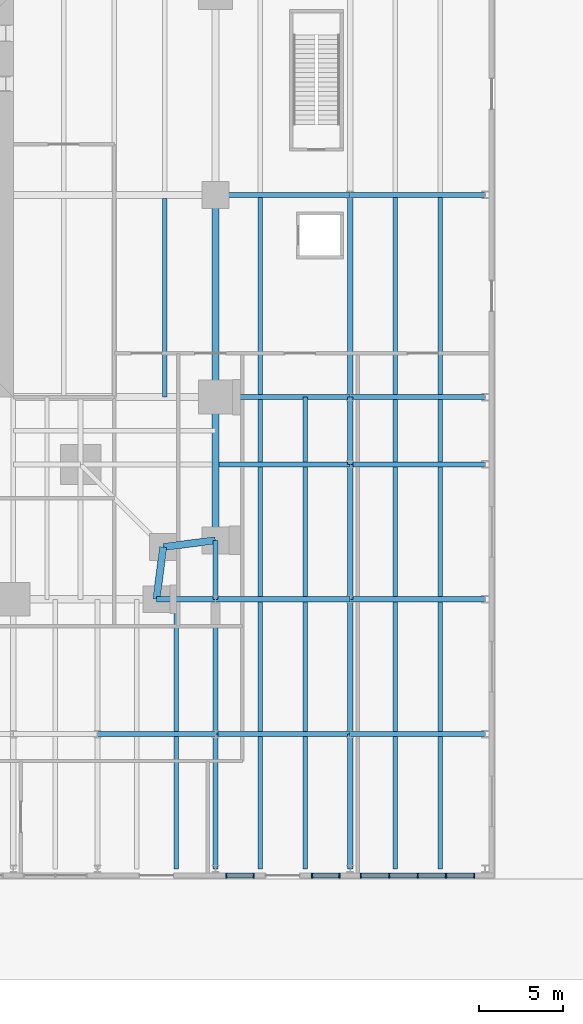
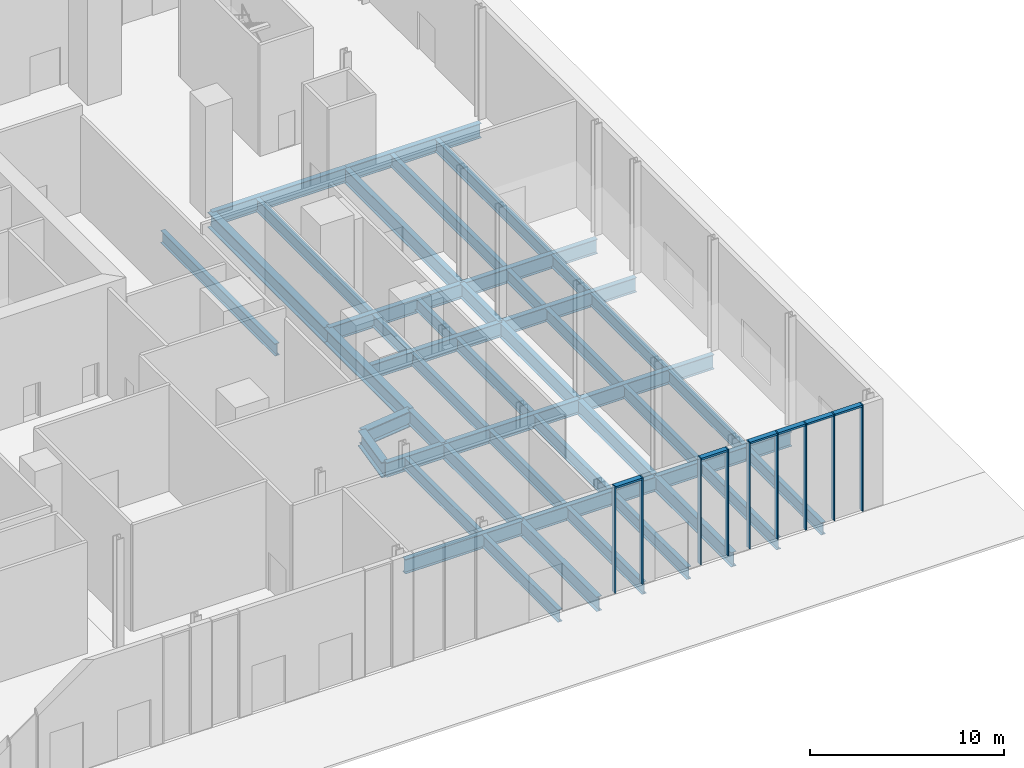
# One storey, part 8 of 20: 46 beams, 15 members, 3 elements without a shape of their own.
"""IFC4 building model written with IfcOpenShell, lengths in metres."""

from ifc_helpers import new_model, si_unit, direction, frame, origin, origin_2d, place, context, subcontext, project, spatial, rectangle, i_section, extrude, material, material_profile, profile_set, type_object, element, aggregate, save


model = new_model("IFC4")

# Units and contexts
model_context = context("Model", 3, precision=1e-05, world=origin(), true_north=direction((0.0, 1.0)))
body_context = subcontext(model_context, "Body", "Model", "MODEL_VIEW")
ifc_project = project(units=[si_unit("LENGTHUNIT", "METRE"), si_unit("AREAUNIT", "SQUARE_METRE"), si_unit("VOLUMEUNIT", "CUBIC_METRE"), si_unit("PLANEANGLEUNIT", "RADIAN"), si_unit("MASSUNIT", "GRAM", prefix="KILO")], contexts=[model_context])

# Site, building, storey
site_placement = place(None, origin())
site = spatial("IfcSite", under=ifc_project, at=site_placement, CompositionType="ELEMENT")
building_placement = place(site_placement, origin())
building = spatial("IfcBuilding", under=site, at=building_placement, Name="Fenwick Lantern Interchange", CompositionType="ELEMENT")
storey_placement = place(building_placement, origin())
storey = spatial("IfcBuildingStorey", under=building, at=storey_placement, Name="L00", CompositionType="ELEMENT", Elevation=0.0)

# Beams
ifc_material_1 = material(Name="Steel ASTM A992 Grade 50", Category="steel")
ifc_material_profile_1 = material_profile(ifc_material_1, i_section(OverallWidth=0.4267578125, OverallDepth=0.975341796875, WebThickness=0.031005859375, FlangeThickness=0.055908203125, at=origin_2d()), Name="W36X395")
ifc_profile_set_1 = profile_set([ifc_material_profile_1], Name="Steel ASTM A992 Grade 50")
beam_type_1 = type_object("IfcBeamType", Name="EDGE BEAM W36X395", PredefinedType="SPANDREL", material=ifc_profile_set_1)
for number, where, z_axis, x_axis, name in (
    (1, (45.5, 1.0, -0.78759765625), (0.127936641807, 0.991782342897, 0.0), (-0.991782342897, 0.127936641807, 0.0), "L00/FR/S/EBR1"),
    (2, (45.89990234375, 4.10009765625, -0.78759765625), (0.991782342897, 0.127936641807, 0.0), (-0.127936641807, 0.991782342897, 0.0), "L00/FR/S/EBR2"),
):
    element("IfcBeam", number, at=place(storey_placement, frame(where, z_axis=z_axis, x_axis=x_axis)), inside=storey, type_object=beam_type_1, Name=name, PredefinedType="SPANDREL", context=body_context, shape_type="SweptSolid", body=[
        extrude(i_section(OverallWidth=0.4267578125, OverallDepth=0.975341796875, WebThickness=0.031005859375, FlangeThickness=0.055908203125, at=origin_2d()), origin(), (0.0, 0.0, 1.0), 3.125732421875),
    ])
beam_1_placement = place(storey_placement, frame((49.0, 4.5, -0.78759765625), z_axis=(0.0, 1.0, 0.0), x_axis=(-1.0, 0.0, 0.0)))
element("IfcBeam", 3, at=beam_1_placement, inside=storey, type_object=beam_type_1, Name="L00/FR/E/EB1", PredefinedType="SPANDREL", context=body_context, shape_type="SweptSolid", body=[
    extrude(i_section(OverallWidth=0.4267578125, OverallDepth=0.975341796875, WebThickness=0.031005859375, FlangeThickness=0.055908203125, at=origin_2d()), origin(), (0.0, 0.0, 1.0), 8.5),
])
beam_2_placement = place(storey_placement, frame((49.0, 13.0, -0.78759765625), z_axis=(0.0, 1.0, 0.0), x_axis=(-1.0, 0.0, 0.0)))
element("IfcBeam", 4, at=beam_2_placement, inside=storey, type_object=beam_type_1, Name="L00/FR/E/EB2", PredefinedType="SPANDREL", context=body_context, shape_type="SweptSolid", body=[
    extrude(i_section(OverallWidth=0.4267578125, OverallDepth=0.975341796875, WebThickness=0.031005859375, FlangeThickness=0.055908203125, at=origin_2d()), origin(), (0.0, 0.0, 1.0), 12.0),
])
ifc_material_profile_2 = material_profile(ifc_material_1, i_section(OverallWidth=0.2666015625, OverallDepth=0.77978515625, WebThickness=0.0166015625, FlangeThickness=0.030029296875, at=origin_2d()), Name="W30X148")
ifc_profile_set_2 = profile_set([ifc_material_profile_2], Name="Steel ASTM A992 Grade 50")
beam_type_2 = type_object("IfcBeamType", Name="FLOOR BEAM W30X148", PredefinedType="BEAM", material=ifc_profile_set_2)
beam_3_placement = place(storey_placement, frame((46.0, 13.0, -0.68994140625), z_axis=(0.0, 1.0, 0.0), x_axis=(-1.0, 0.0, 0.0)))
element("IfcBeam", 5, at=beam_3_placement, inside=storey, type_object=beam_type_2, Name="L00/FR/E/B01", PredefinedType="BEAM", context=body_context, shape_type="SweptSolid", body=[
    extrude(i_section(OverallWidth=0.2666015625, OverallDepth=0.77978515625, WebThickness=0.0166015625, FlangeThickness=0.030029296875, at=origin_2d()), origin(), (0.0, 0.0, 1.0), 11.79541015625),
])
ifc_material_profile_3 = material_profile(ifc_material_1, i_section(OverallWidth=0.3046875, OverallDepth=0.911865234375, WebThickness=0.015869140625, FlangeThickness=0.02392578125, at=origin_2d()), Name="W36X150")
ifc_profile_set_3 = profile_set([ifc_material_profile_3], Name="Steel ASTM A992 Grade 50")
beam_type_3 = type_object("IfcBeamType", Name="MOMENT-CONNECTED PODIUM GIRDER W36X150", PredefinedType="BEAM", material=ifc_profile_set_3)
beam_4_placement = place(storey_placement, frame((42.0, -7.0, -0.755859375), z_axis=(1.0, 0.0, 0.0), x_axis=(0.0, 1.0, 0.0)))
element("IfcBeam", 6, at=beam_4_placement, inside=storey, type_object=beam_type_3, Name="L00/PF/G008", PredefinedType="BEAM", context=body_context, shape_type="SweptSolid", body=[
    extrude(i_section(OverallWidth=0.3046875, OverallDepth=0.911865234375, WebThickness=0.015869140625, FlangeThickness=0.02392578125, at=origin_2d()), origin(), (0.0, 0.0, 1.0), 7.0),
])
for number, where, z_axis, x_axis, name in (
    (7, (49.0, -7.0, -0.755859375), (1.0, 0.0, 0.0), (0.0, 1.0, 0.0), "L00/PF/G009"),
    (8, (57.0, -7.0, -0.755859375), (1.0, 0.0, 0.0), (0.0, 1.0, 0.0), "L00/PF/G010"),
):
    element("IfcBeam", number, at=place(storey_placement, frame(where, z_axis=z_axis, x_axis=x_axis)), inside=storey, type_object=beam_type_3, Name=name, PredefinedType="BEAM", context=body_context, shape_type="SweptSolid", body=[
        extrude(i_section(OverallWidth=0.3046875, OverallDepth=0.911865234375, WebThickness=0.015869140625, FlangeThickness=0.02392578125, at=origin_2d()), origin(), (0.0, 0.0, 1.0), 8.0),
    ])
beam_5_placement = place(storey_placement, frame((45.5, 1.0, -0.755859375), z_axis=(1.0, 0.0, 0.0), x_axis=(0.0, 1.0, 0.0)))
element("IfcBeam", 9, at=beam_5_placement, inside=storey, type_object=beam_type_3, Name="L00/PF/G014", PredefinedType="BEAM", context=body_context, shape_type="SweptSolid", body=[
    extrude(i_section(OverallWidth=0.3046875, OverallDepth=0.911865234375, WebThickness=0.015869140625, FlangeThickness=0.02392578125, at=origin_2d()), origin(), (0.0, 0.0, 1.0), 3.5),
])
for number, where, z_axis, x_axis, name in (
    (10, (49.0, 1.0, -0.755859375), (1.0, 0.0, 0.0), (0.0, 1.0, 0.0), "L00/PF/G015"),
    (11, (57.0, 1.0, -0.755859375), (1.0, 0.0, 0.0), (0.0, 1.0, 0.0), "L00/PF/G016"),
):
    element("IfcBeam", number, at=place(storey_placement, frame(where, z_axis=z_axis, x_axis=x_axis)), inside=storey, type_object=beam_type_3, Name=name, PredefinedType="BEAM", context=body_context, shape_type="SweptSolid", body=[
        extrude(i_section(OverallWidth=0.3046875, OverallDepth=0.911865234375, WebThickness=0.015869140625, FlangeThickness=0.02392578125, at=origin_2d()), origin(), (0.0, 0.0, 1.0), 8.0),
    ])
beam_6_placement = place(storey_placement, frame((49.21337890625, 9.0, -0.755859375), z_axis=(1.0, 0.0, 0.0), x_axis=(0.0, 1.0, 0.0)))
element("IfcBeam", 12, at=beam_6_placement, inside=storey, type_object=beam_type_3, Name="L00/PF/G019", PredefinedType="BEAM", context=body_context, shape_type="SweptSolid", body=[
    extrude(i_section(OverallWidth=0.3046875, OverallDepth=0.911865234375, WebThickness=0.015869140625, FlangeThickness=0.02392578125, at=origin_2d()), origin(), (0.0, 0.0, 1.0), 7.78662109375),
])
for number, where, z_axis, x_axis, name in (
    (13, (57.0, 9.0, -0.755859375), (1.0, 0.0, 0.0), (0.0, 1.0, 0.0), "L00/PF/G020"),
    (14, (49.0, 13.0, -0.755859375), (1.0, 0.0, 0.0), (0.0, 1.0, 0.0), "L00/PF/G023"),
    (15, (57.0, 13.0, -0.755859375), (1.0, 0.0, 0.0), (0.0, 1.0, 0.0), "L00/PF/G024"),
    (16, (49.0, 25.0, -0.755859375), (1.0, 0.0, 0.0), (0.0, 1.0, 0.0), "L00/PF/G027"),
    (17, (57.0, 25.0, -0.755859375), (1.0, 0.0, 0.0), (0.0, 1.0, 0.0), "L00/PF/G028"),
    (18, (49.0, -15.0, -0.755859375), (0.0, 1.0, 0.0), (-1.0, 0.0, 0.0), "L00/PF/G089"),
    (19, (49.0, -7.0, -0.755859375), (0.0, 1.0, 0.0), (-1.0, 0.0, 0.0), "L00/PF/G090"),
):
    element("IfcBeam", number, at=place(storey_placement, frame(where, z_axis=z_axis, x_axis=x_axis)), inside=storey, type_object=beam_type_3, Name=name, PredefinedType="BEAM", context=body_context, shape_type="SweptSolid", body=[
        extrude(i_section(OverallWidth=0.3046875, OverallDepth=0.911865234375, WebThickness=0.015869140625, FlangeThickness=0.02392578125, at=origin_2d()), origin(), (0.0, 0.0, 1.0), 8.0),
    ])
beam_7_placement = place(storey_placement, frame((49.0, 1.0, -0.755859375), z_axis=(0.0, 1.0, 0.0), x_axis=(-1.0, 0.0, 0.0)))
element("IfcBeam", 20, at=beam_7_placement, inside=storey, type_object=beam_type_3, Name="L00/PF/G091", PredefinedType="BEAM", context=body_context, shape_type="SweptSolid", body=[
    extrude(i_section(OverallWidth=0.3046875, OverallDepth=0.911865234375, WebThickness=0.015869140625, FlangeThickness=0.02392578125, at=origin_2d()), origin(), (0.0, 0.0, 1.0), 3.5),
])
for number, where, z_axis, x_axis, name in (
    (21, (57.0, -15.0, -0.755859375), (0.0, 1.0, 0.0), (-1.0, 0.0, 0.0), "L00/PF/G095"),
    (22, (57.0, -7.0, -0.755859375), (0.0, 1.0, 0.0), (-1.0, 0.0, 0.0), "L00/PF/G096"),
    (23, (57.0, 1.0, -0.755859375), (0.0, 1.0, 0.0), (-1.0, 0.0, 0.0), "L00/PF/G097"),
):
    element("IfcBeam", number, at=place(storey_placement, frame(where, z_axis=z_axis, x_axis=x_axis)), inside=storey, type_object=beam_type_3, Name=name, PredefinedType="BEAM", context=body_context, shape_type="SweptSolid", body=[
        extrude(i_section(OverallWidth=0.3046875, OverallDepth=0.911865234375, WebThickness=0.015869140625, FlangeThickness=0.02392578125, at=origin_2d()), origin(), (0.0, 0.0, 1.0), 8.0),
    ])
beam_8_placement = place(storey_placement, frame((57.0, 9.0, -0.755859375), z_axis=(0.0, 1.0, 0.0), x_axis=(-1.0, 0.0, 0.0)))
element("IfcBeam", 24, at=beam_8_placement, inside=storey, type_object=beam_type_3, Name="L00/PF/G098", PredefinedType="BEAM", context=body_context, shape_type="SweptSolid", body=[
    extrude(i_section(OverallWidth=0.3046875, OverallDepth=0.911865234375, WebThickness=0.015869140625, FlangeThickness=0.02392578125, at=origin_2d()), origin(), (0.0, 0.0, 1.0), 4.0),
])
ifc_material_profile_4 = material_profile(ifc_material_1, i_section(OverallWidth=0.307373046875, OverallDepth=0.927001953125, WebThickness=0.01953125, FlangeThickness=0.031982421875, at=origin_2d()), Name="W36X194")
ifc_profile_set_4 = profile_set([ifc_material_profile_4], Name="Steel ASTM A992 Grade 50")
beam_type_4 = type_object("IfcBeamType", Name="MOMENT-CONNECTED PODIUM GIRDER W36X194", PredefinedType="BEAM", material=ifc_profile_set_4)
beam_9_placement = place(storey_placement, frame((57.0, 13.0, -0.763671875), z_axis=(0.0, 1.0, 0.0), x_axis=(-1.0, 0.0, 0.0)))
element("IfcBeam", 25, at=beam_9_placement, inside=storey, type_object=beam_type_4, Name="L00/PF/G099", PredefinedType="BEAM", context=body_context, shape_type="SweptSolid", body=[
    extrude(i_section(OverallWidth=0.307373046875, OverallDepth=0.927001953125, WebThickness=0.01953125, FlangeThickness=0.031982421875, at=origin_2d()), origin(), (0.0, 0.0, 1.0), 12.0),
])
ifc_material_profile_5 = material_profile(ifc_material_1, i_section(OverallWidth=0.2666015625, OverallDepth=0.77978515625, WebThickness=0.0166015625, FlangeThickness=0.030029296875, at=origin_2d()), Name="W30X148")
ifc_profile_set_5 = profile_set([ifc_material_profile_5], Name="Steel ASTM A992 Grade 50")
beam_type_5 = type_object("IfcBeamType", Name="PODIUM BEAM W30X148", PredefinedType="JOIST", material=ifc_profile_set_5)
for number, where, z_axis, x_axis, name in (
    (26, (46.666748046875, -15.0, -0.68994140625), (0.0, 1.0, 0.0), (-1.0, 0.0, 0.0), "L00/PF/J174"),
    (27, (46.666748046875, -6.84765625, -0.68994140625), (0.0, 1.0, 0.0), (-1.0, 0.0, 0.0), "L00/PF/J176"),
    (28, (51.666748046875, -15.0, -0.68994140625), (0.0, 1.0, 0.0), (-1.0, 0.0, 0.0), "L00/PF/J181"),
    (29, (54.333251953125, -15.0, -0.68994140625), (0.0, 1.0, 0.0), (-1.0, 0.0, 0.0), "L00/PF/J182"),
):
    element("IfcBeam", number, at=place(storey_placement, frame(where, z_axis=z_axis, x_axis=x_axis)), inside=storey, type_object=beam_type_5, Name=name, PredefinedType="JOIST", context=body_context, shape_type="SweptSolid", body=[
        extrude(i_section(OverallWidth=0.2666015625, OverallDepth=0.77978515625, WebThickness=0.0166015625, FlangeThickness=0.030029296875, at=origin_2d()), origin(), (0.0, 0.0, 1.0), 7.84765625),
    ])
for number, where, z_axis, x_axis, name in (
    (30, (51.666748046875, -6.84765625, -0.68994140625), (0.0, 1.0, 0.0), (-1.0, 0.0, 0.0), "L00/PF/J183"),
    (31, (54.333251953125, -6.84765625, -0.68994140625), (0.0, 1.0, 0.0), (-1.0, 0.0, 0.0), "L00/PF/J184"),
    (32, (51.666748046875, 1.15234375, -0.68994140625), (0.0, 1.0, 0.0), (-1.0, 0.0, 0.0), "L00/PF/J185"),
    (33, (54.333251953125, 1.15234375, -0.68994140625), (0.0, 1.0, 0.0), (-1.0, 0.0, 0.0), "L00/PF/J186"),
):
    element("IfcBeam", number, at=place(storey_placement, frame(where, z_axis=z_axis, x_axis=x_axis)), inside=storey, type_object=beam_type_5, Name=name, PredefinedType="JOIST", context=body_context, shape_type="SweptSolid", body=[
        extrude(i_section(OverallWidth=0.2666015625, OverallDepth=0.77978515625, WebThickness=0.0166015625, FlangeThickness=0.030029296875, at=origin_2d()), origin(), (0.0, 0.0, 1.0), 7.6953125),
    ])
beam_10_placement = place(storey_placement, frame((51.666748046875, 9.15234375, -0.68994140625), z_axis=(0.0, 1.0, 0.0), x_axis=(-1.0, 0.0, 0.0)))
element("IfcBeam", 34, at=beam_10_placement, inside=storey, type_object=beam_type_5, Name="L00/PF/J187", PredefinedType="JOIST", context=body_context, shape_type="SweptSolid", body=[
    extrude(i_section(OverallWidth=0.2666015625, OverallDepth=0.77978515625, WebThickness=0.0166015625, FlangeThickness=0.030029296875, at=origin_2d()), origin(), (0.0, 0.0, 1.0), 3.6953125),
])
beam_11_placement = place(storey_placement, frame((54.333251953125, 9.15234375, -0.68994140625), z_axis=(0.0, 1.0, 0.0), x_axis=(-1.0, 0.0, 0.0)))
element("IfcBeam", 35, at=beam_11_placement, inside=storey, type_object=beam_type_5, Name="L00/PF/J188", PredefinedType="JOIST", context=body_context, shape_type="SweptSolid", body=[
    extrude(i_section(OverallWidth=0.2666015625, OverallDepth=0.77978515625, WebThickness=0.0166015625, FlangeThickness=0.030029296875, at=origin_2d()), origin(), (0.0, 0.0, 1.0), 3.84765625),
])
beam_12_placement = place(storey_placement, frame((51.666748046875, 13.15234375, -0.68994140625), z_axis=(0.0, 1.0, 0.0), x_axis=(-1.0, 0.0, 0.0)))
element("IfcBeam", 36, at=beam_12_placement, inside=storey, type_object=beam_type_5, Name="L00/PF/J189", PredefinedType="JOIST", context=body_context, shape_type="SweptSolid", body=[
    extrude(i_section(OverallWidth=0.2666015625, OverallDepth=0.77978515625, WebThickness=0.0166015625, FlangeThickness=0.030029296875, at=origin_2d()), origin(), (0.0, 0.0, 1.0), 11.6953125),
])
for number, where, z_axis, x_axis, name in (
    (37, (59.666748046875, -15.0, -0.68994140625), (0.0, 1.0, 0.0), (-1.0, 0.0, 0.0), "L00/PF/J199"),
    (38, (62.333251953125, -15.0, -0.68994140625), (0.0, 1.0, 0.0), (-1.0, 0.0, 0.0), "L00/PF/J200"),
):
    element("IfcBeam", number, at=place(storey_placement, frame(where, z_axis=z_axis, x_axis=x_axis)), inside=storey, type_object=beam_type_5, Name=name, PredefinedType="JOIST", context=body_context, shape_type="SweptSolid", body=[
        extrude(i_section(OverallWidth=0.2666015625, OverallDepth=0.77978515625, WebThickness=0.0166015625, FlangeThickness=0.030029296875, at=origin_2d()), origin(), (0.0, 0.0, 1.0), 7.84765625),
    ])
for number, where, z_axis, x_axis, name in (
    (39, (59.666748046875, -6.84765625, -0.68994140625), (0.0, 1.0, 0.0), (-1.0, 0.0, 0.0), "L00/PF/J201"),
    (40, (62.333251953125, -6.84765625, -0.68994140625), (0.0, 1.0, 0.0), (-1.0, 0.0, 0.0), "L00/PF/J202"),
    (41, (59.666748046875, 1.15234375, -0.68994140625), (0.0, 1.0, 0.0), (-1.0, 0.0, 0.0), "L00/PF/J203"),
    (42, (62.333251953125, 1.15234375, -0.68994140625), (0.0, 1.0, 0.0), (-1.0, 0.0, 0.0), "L00/PF/J204"),
):
    element("IfcBeam", number, at=place(storey_placement, frame(where, z_axis=z_axis, x_axis=x_axis)), inside=storey, type_object=beam_type_5, Name=name, PredefinedType="JOIST", context=body_context, shape_type="SweptSolid", body=[
        extrude(i_section(OverallWidth=0.2666015625, OverallDepth=0.77978515625, WebThickness=0.0166015625, FlangeThickness=0.030029296875, at=origin_2d()), origin(), (0.0, 0.0, 1.0), 7.6953125),
    ])
for number, where, z_axis, x_axis, name in (
    (43, (59.666748046875, 9.15234375, -0.68994140625), (0.0, 1.0, 0.0), (-1.0, 0.0, 0.0), "L00/PF/J205"),
    (44, (62.333251953125, 9.15234375, -0.68994140625), (0.0, 1.0, 0.0), (-1.0, 0.0, 0.0), "L00/PF/J206"),
):
    element("IfcBeam", number, at=place(storey_placement, frame(where, z_axis=z_axis, x_axis=x_axis)), inside=storey, type_object=beam_type_5, Name=name, PredefinedType="JOIST", context=body_context, shape_type="SweptSolid", body=[
        extrude(i_section(OverallWidth=0.2666015625, OverallDepth=0.77978515625, WebThickness=0.0166015625, FlangeThickness=0.030029296875, at=origin_2d()), origin(), (0.0, 0.0, 1.0), 3.6953125),
    ])
for number, where, z_axis, x_axis, name in (
    (45, (59.666748046875, 13.15234375, -0.68994140625), (0.0, 1.0, 0.0), (-1.0, 0.0, 0.0), "L00/PF/J207"),
    (46, (62.333251953125, 13.15234375, -0.68994140625), (0.0, 1.0, 0.0), (-1.0, 0.0, 0.0), "L00/PF/J208"),
):
    element("IfcBeam", number, at=place(storey_placement, frame(where, z_axis=z_axis, x_axis=x_axis)), inside=storey, type_object=beam_type_5, Name=name, PredefinedType="JOIST", context=body_context, shape_type="SweptSolid", body=[
        extrude(i_section(OverallWidth=0.2666015625, OverallDepth=0.77978515625, WebThickness=0.0166015625, FlangeThickness=0.030029296875, at=origin_2d()), origin(), (0.0, 0.0, 1.0), 11.6953125),
    ])

# Curtain wall, members
ifc_material_2 = material(Name="Aluminium curtain wall frame", Category="aluminium")
curtain_wall_type = type_object("IfcCurtainWallType", Name="STOREFRONT GLAZING", PredefinedType="USERDEFINED", material=ifc_material_2)
curtain_wall_1_placement = place(storey_placement, origin())
curtain_wall_1 = element("IfcCurtainWall", 47, at=curtain_wall_1_placement, inside=storey, type_object=curtain_wall_type, Name="Storefront glazing S11", ObjectType="STOREFRONT GLAZING", PredefinedType="USERDEFINED")
ifc_material_3 = material(Name="Aluminium extrusion", Category="aluminium")
ifc_material_profile_6 = material_profile(ifc_material_3, rectangle(XDim=0.300048828125, YDim=0.06494140625, at=origin_2d()), Name="STOREFRONT GLAZING MULLION 65 X 300")
ifc_profile_set_6 = profile_set([ifc_material_profile_6], Name="Aluminium extrusion")
member_type_1 = type_object("IfcMemberType", Name="STOREFRONT GLAZING MULLION 65 X 300", PredefinedType="MULLION", material=ifc_profile_set_6)
member_1_placement = place(storey_placement, frame((49.632568359375, -15.39990234375, 0.0), z_axis=(0.0, 0.0, 1.0), x_axis=(0.0, 1.0, 0.0)))
member_1 = element("IfcMember", 48, at=member_1_placement, type_object=member_type_1, Name="L00/CW/S11/M00", PredefinedType="MULLION", context=body_context, shape_type="SweptSolid", body=[
    extrude(rectangle(XDim=0.300048828125, YDim=0.06494140625, at=origin_2d()), origin(), (0.0, 0.0, 1.0), 6.699951171875),
])
member_2_placement = place(storey_placement, frame((51.267578125, -15.39990234375, 0.0), z_axis=(0.0, 0.0, 1.0), x_axis=(0.0, 1.0, 0.0)))
member_2 = element("IfcMember", 49, at=member_2_placement, type_object=member_type_1, Name="L00/CW/S11/M01", PredefinedType="MULLION", context=body_context, shape_type="SweptSolid", body=[
    extrude(rectangle(XDim=0.300048828125, YDim=0.06494140625, at=origin_2d()), origin(), (0.0, 0.0, 1.0), 6.699951171875),
])

curtain_wall_2_placement = place(storey_placement, origin())
curtain_wall_2 = element("IfcCurtainWall", 50, at=curtain_wall_2_placement, inside=storey, type_object=curtain_wall_type, Name="Storefront glazing S12", ObjectType="STOREFRONT GLAZING", PredefinedType="USERDEFINED")
member_3_placement = place(storey_placement, frame((54.732421875, -15.39990234375, 0.0), z_axis=(0.0, 0.0, 1.0), x_axis=(0.0, 1.0, 0.0)))
member_3 = element("IfcMember", 51, at=member_3_placement, type_object=member_type_1, Name="L00/CW/S12/M00", PredefinedType="MULLION", context=body_context, shape_type="SweptSolid", body=[
    extrude(rectangle(XDim=0.300048828125, YDim=0.06494140625, at=origin_2d()), origin(), (0.0, 0.0, 1.0), 6.699951171875),
])
member_4_placement = place(storey_placement, frame((56.367431640625, -15.39990234375, 0.0), z_axis=(0.0, 0.0, 1.0), x_axis=(0.0, 1.0, 0.0)))
member_4 = element("IfcMember", 52, at=member_4_placement, type_object=member_type_1, Name="L00/CW/S12/M01", PredefinedType="MULLION", context=body_context, shape_type="SweptSolid", body=[
    extrude(rectangle(XDim=0.300048828125, YDim=0.06494140625, at=origin_2d()), origin(), (0.0, 0.0, 1.0), 6.699951171875),
])

curtain_wall_3_placement = place(storey_placement, origin())
curtain_wall_3 = element("IfcCurtainWall", 53, at=curtain_wall_3_placement, inside=storey, type_object=curtain_wall_type, Name="Storefront glazing S13", ObjectType="STOREFRONT GLAZING", PredefinedType="USERDEFINED")
member_5_placement = place(storey_placement, frame((57.632568359375, -15.39990234375, 0.0), z_axis=(0.0, 0.0, 1.0), x_axis=(0.0, 1.0, 0.0)))
member_5 = element("IfcMember", 54, at=member_5_placement, type_object=member_type_1, Name="L00/CW/S13/M00", PredefinedType="MULLION", context=body_context, shape_type="SweptSolid", body=[
    extrude(rectangle(XDim=0.300048828125, YDim=0.06494140625, at=origin_2d()), origin(), (0.0, 0.0, 1.0), 6.699951171875),
])
member_6_placement = place(storey_placement, frame((59.316162109375, -15.39990234375, 0.0), z_axis=(0.0, 0.0, 1.0), x_axis=(0.0, 1.0, 0.0)))
member_6 = element("IfcMember", 55, at=member_6_placement, type_object=member_type_1, Name="L00/CW/S13/M01", PredefinedType="MULLION", context=body_context, shape_type="SweptSolid", body=[
    extrude(rectangle(XDim=0.300048828125, YDim=0.06494140625, at=origin_2d()), origin(), (0.0, 0.0, 1.0), 6.699951171875),
])
member_7_placement = place(storey_placement, frame((61.0, -15.39990234375, 0.0), z_axis=(0.0, 0.0, 1.0), x_axis=(0.0, 1.0, 0.0)))
member_7 = element("IfcMember", 56, at=member_7_placement, type_object=member_type_1, Name="L00/CW/S13/M02", PredefinedType="MULLION", context=body_context, shape_type="SweptSolid", body=[
    extrude(rectangle(XDim=0.300048828125, YDim=0.06494140625, at=origin_2d()), origin(), (0.0, 0.0, 1.0), 6.699951171875),
])
member_8_placement = place(storey_placement, frame((62.683837890625, -15.39990234375, 0.0), z_axis=(0.0, 0.0, 1.0), x_axis=(0.0, 1.0, 0.0)))
member_8 = element("IfcMember", 57, at=member_8_placement, type_object=member_type_1, Name="L00/CW/S13/M03", PredefinedType="MULLION", context=body_context, shape_type="SweptSolid", body=[
    extrude(rectangle(XDim=0.300048828125, YDim=0.06494140625, at=origin_2d()), origin(), (0.0, 0.0, 1.0), 6.699951171875),
])
member_9_placement = place(storey_placement, frame((64.367431640625, -15.39990234375, 0.0), z_axis=(0.0, 0.0, 1.0), x_axis=(0.0, 1.0, 0.0)))
member_9 = element("IfcMember", 58, at=member_9_placement, type_object=member_type_1, Name="L00/CW/S13/M04", PredefinedType="MULLION", context=body_context, shape_type="SweptSolid", body=[
    extrude(rectangle(XDim=0.300048828125, YDim=0.06494140625, at=origin_2d()), origin(), (0.0, 0.0, 1.0), 6.699951171875),
])

# Member
ifc_material_profile_7 = material_profile(ifc_material_3, rectangle(XDim=0.300048828125, YDim=0.1201171875, at=origin_2d()), Name="STOREFRONT GLAZING TRANSOM 120 X 300")
ifc_profile_set_7 = profile_set([ifc_material_profile_7], Name="Aluminium extrusion")
member_type_2 = type_object("IfcMemberType", Name="STOREFRONT GLAZING TRANSOM 120 X 300", PredefinedType="MULLION", material=ifc_profile_set_7)
member_10_placement = place(storey_placement, frame((49.6650390625, -15.39990234375, 6.639892578125), z_axis=(1.0, 0.0, 0.0), x_axis=(0.0, 1.0, 0.0)))
member_10 = element("IfcMember", 59, at=member_10_placement, type_object=member_type_2, Name="L00/CW/S11/T00", PredefinedType="MULLION", context=body_context, shape_type="SweptSolid", body=[
    extrude(rectangle(XDim=0.300048828125, YDim=0.1201171875, at=origin_2d()), origin(), (0.0, 0.0, 1.0), 1.570068359375),
])

aggregate(curtain_wall_1, [member_1, member_2, member_10])

member_11_placement = place(storey_placement, frame((54.764892578125, -15.39990234375, 6.639892578125), z_axis=(1.0, 0.0, 0.0), x_axis=(0.0, 1.0, 0.0)))
member_11 = element("IfcMember", 60, at=member_11_placement, type_object=member_type_2, Name="L00/CW/S12/T00", PredefinedType="MULLION", context=body_context, shape_type="SweptSolid", body=[
    extrude(rectangle(XDim=0.300048828125, YDim=0.1201171875, at=origin_2d()), origin(), (0.0, 0.0, 1.0), 1.570068359375),
])

aggregate(curtain_wall_2, [member_3, member_4, member_11])

member_12_placement = place(storey_placement, frame((57.6650390625, -15.39990234375, 6.639892578125), z_axis=(1.0, 0.0, 0.0), x_axis=(0.0, 1.0, 0.0)))
member_12 = element("IfcMember", 61, at=member_12_placement, type_object=member_type_2, Name="L00/CW/S13/T00", PredefinedType="MULLION", context=body_context, shape_type="SweptSolid", body=[
    extrude(rectangle(XDim=0.300048828125, YDim=0.1201171875, at=origin_2d()), origin(), (0.0, 0.0, 1.0), 1.61865234375),
])

member_13_placement = place(storey_placement, frame((59.3486328125, -15.39990234375, 6.639892578125), z_axis=(1.0, 0.0, 0.0), x_axis=(0.0, 1.0, 0.0)))
member_13 = element("IfcMember", 62, at=member_13_placement, type_object=member_type_2, Name="L00/CW/S13/T01", PredefinedType="MULLION", context=body_context, shape_type="SweptSolid", body=[
    extrude(rectangle(XDim=0.300048828125, YDim=0.1201171875, at=origin_2d()), origin(), (0.0, 0.0, 1.0), 1.618896484375),
])

member_14_placement = place(storey_placement, frame((61.032470703125, -15.39990234375, 6.639892578125), z_axis=(1.0, 0.0, 0.0), x_axis=(0.0, 1.0, 0.0)))
member_14 = element("IfcMember", 63, at=member_14_placement, type_object=member_type_2, Name="L00/CW/S13/T02", PredefinedType="MULLION", context=body_context, shape_type="SweptSolid", body=[
    extrude(rectangle(XDim=0.300048828125, YDim=0.1201171875, at=origin_2d()), origin(), (0.0, 0.0, 1.0), 1.618896484375),
])

member_15_placement = place(storey_placement, frame((62.71630859375, -15.39990234375, 6.639892578125), z_axis=(1.0, 0.0, 0.0), x_axis=(0.0, 1.0, 0.0)))
member_15 = element("IfcMember", 64, at=member_15_placement, type_object=member_type_2, Name="L00/CW/S13/T03", PredefinedType="MULLION", context=body_context, shape_type="SweptSolid", body=[
    extrude(rectangle(XDim=0.300048828125, YDim=0.1201171875, at=origin_2d()), origin(), (0.0, 0.0, 1.0), 1.61865234375),
])

aggregate(curtain_wall_3, [member_5, member_6, member_7, member_8, member_9, member_12, member_13, member_14, member_15])

save(model, "model.ifc")
